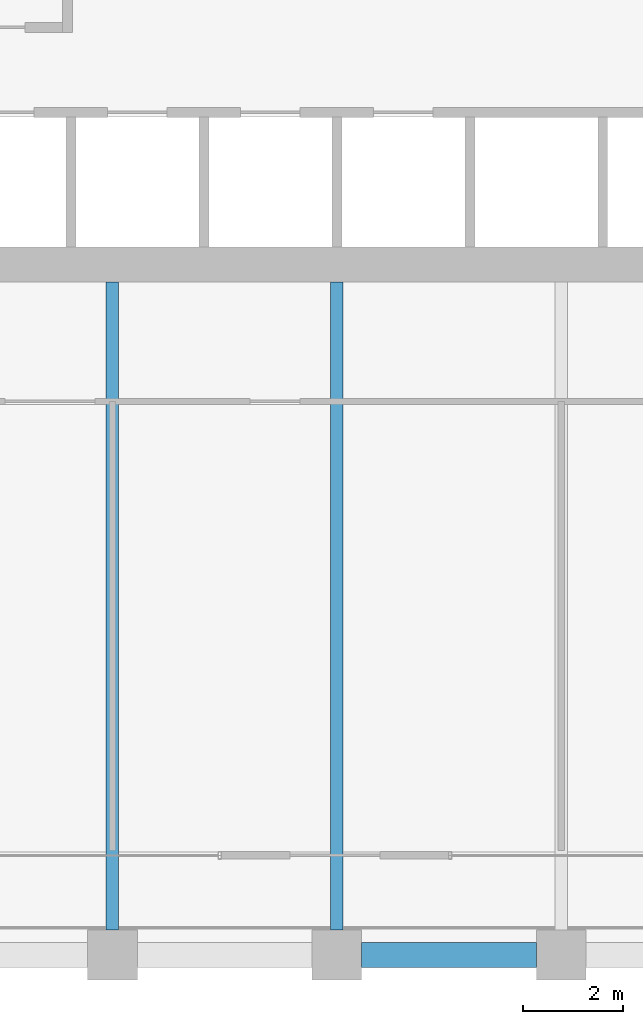
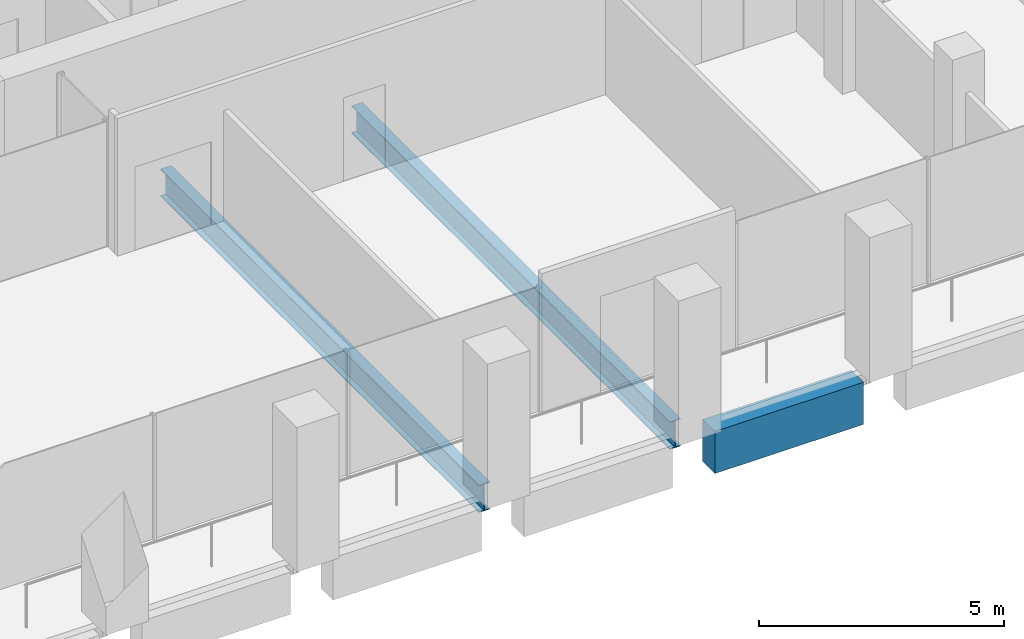
# One storey, part 8 of 46: 3 beams.
"""IFC4 building model written with IfcOpenShell, lengths in metres."""

from ifc_helpers import new_model, si_unit, direction, frame, origin, origin_2d, place, context, subcontext, project, spatial, rectangle, i_section, extrude, material, material_profile, profile_set, type_object, element, save


model = new_model("IFC4")

# Units and contexts
model_context = context("Model", 3, precision=1e-05, world=origin(), true_north=direction((0.0, 1.0)))
body_context = subcontext(model_context, "Body", "Model", "MODEL_VIEW")
ifc_project = project(units=[si_unit("LENGTHUNIT", "METRE"), si_unit("AREAUNIT", "SQUARE_METRE"), si_unit("VOLUMEUNIT", "CUBIC_METRE"), si_unit("PLANEANGLEUNIT", "RADIAN"), si_unit("MASSUNIT", "GRAM", prefix="KILO")], contexts=[model_context])

# Site, building, storey
site_placement = place(None, origin())
site = spatial("IfcSite", under=ifc_project, at=site_placement, CompositionType="ELEMENT")
building_placement = place(site_placement, origin())
building = spatial("IfcBuilding", under=site, at=building_placement, Name="Altepetl Exchange Towers", CompositionType="ELEMENT")
storey_placement = place(building_placement, frame((0.0, 0.0, 124.39990234375)))
storey = spatial("IfcBuildingStorey", under=building, at=storey_placement, Name="L30", CompositionType="ELEMENT", Elevation=124.39990234375)

# Beams
ifc_material_1 = material(Name="Steel S355", Category="steel")
ifc_material_profile_1 = material_profile(ifc_material_1, i_section(OverallWidth=0.25390625, OverallDepth=0.68408203125, WebThickness=0.012451171875, FlangeThickness=0.018798828125, at=origin_2d()), Name="W27X94")
ifc_profile_set_1 = profile_set([ifc_material_profile_1], Name="Steel S355")
beam_type_1 = type_object("IfcBeamType", Name="Floor beam W27X94", PredefinedType="BEAM", material=ifc_profile_set_1)
for number, where, z_axis, x_axis, name in (
    (1, (45.0, 27.5, -0.491943359375), (0.0, 1.0, 0.0), (-1.0, 0.0, 0.0), "bm:A:L30:015"),
    (2, (49.5, 27.5, -0.491943359375), (0.0, 1.0, 0.0), (-1.0, 0.0, 0.0), "bm:A:L30:016"),
):
    element("IfcBeam", number, at=place(storey_placement, frame(where, z_axis=z_axis, x_axis=x_axis)), inside=storey, type_object=beam_type_1, Name=name, PredefinedType="BEAM", context=body_context, shape_type="SweptSolid", body=[
        extrude(i_section(OverallWidth=0.25390625, OverallDepth=0.68408203125, WebThickness=0.012451171875, FlangeThickness=0.018798828125, at=origin_2d()), origin(), (0.0, 0.0, 1.0), 13.0),
    ])
ifc_material_2 = material(Name="Concrete C50/60 precast with cantera blanca facing", Category="concrete")
ifc_material_profile_2 = material_profile(ifc_material_2, rectangle(XDim=0.5, YDim=1.050048828125, at=origin_2d()), Name="500 x 1050")
ifc_profile_set_2 = profile_set([ifc_material_profile_2], Name="Concrete C50/60 precast with cantera blanca facing")
beam_type_2 = type_object("IfcBeamType", Name="Spandrel beam 500x1050 cantera blanca", PredefinedType="SPANDREL", material=ifc_profile_set_2)
beam_placement = place(storey_placement, frame((50.0, 27.0, -0.6748046875), z_axis=(1.0, 0.0, 0.0), x_axis=(0.0, 1.0, 0.0)))
element("IfcBeam", 3, at=beam_placement, inside=storey, type_object=beam_type_2, Name="sp:A:L30:004", PredefinedType="SPANDREL", context=body_context, shape_type="SweptSolid", body=[
    extrude(rectangle(XDim=0.5, YDim=1.050048828125, at=origin_2d()), origin(), (0.0, 0.0, 1.0), 3.5),
])

save(model, "model.ifc")
